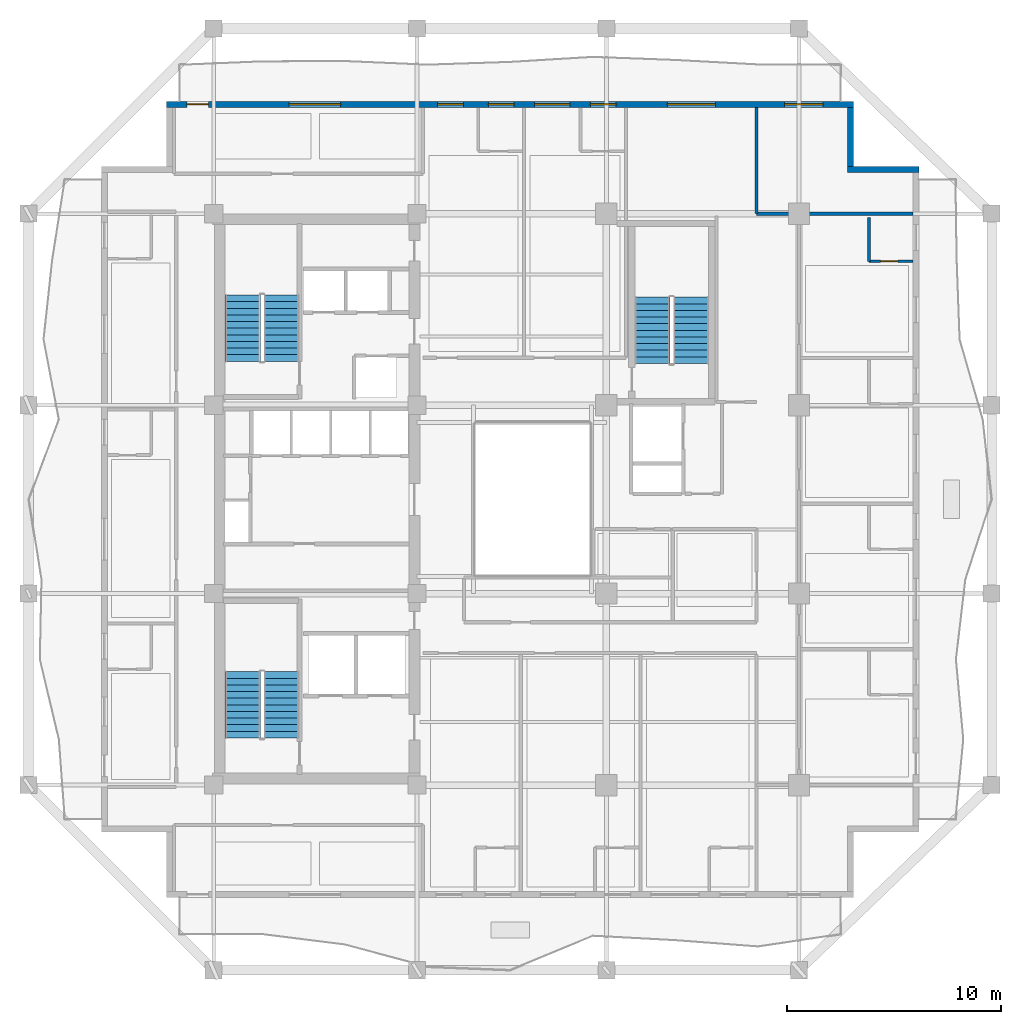
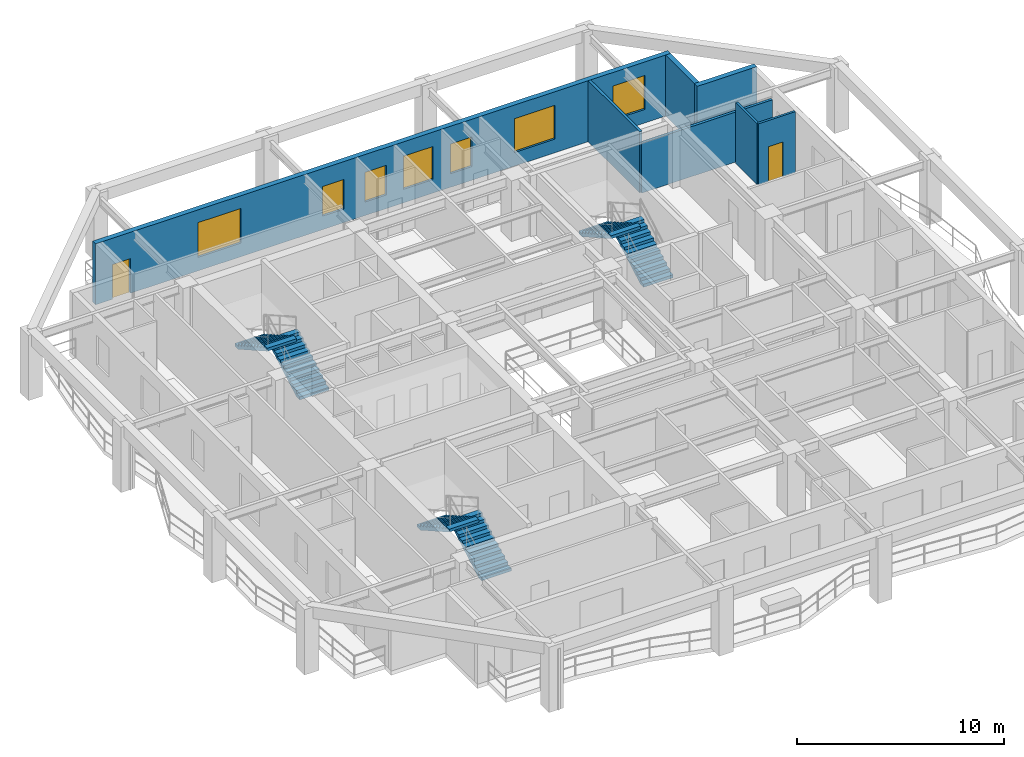
# One storey, part 7 of 11: 7 walls, 7 windows, 6 stair flights, 2 doors, 9 openings, 3 elements without a shape of their own.
"""IFC4 building model written with IfcOpenShell, lengths in metres."""

from ifc_helpers import new_model, si_unit, direction, frame, frame_2d, origin, place, context, subcontext, project, spatial, polyline, rectangle, outline, extrude, material, layer, layer_set, type_object, element, fill, aggregate, save


model = new_model("IFC4")

# Units and contexts
model_context = context("Model", 3, precision=1e-05, world=origin(), true_north=direction((0.0, 1.0)))
body_context = subcontext(model_context, "Body", "Model", "MODEL_VIEW")
ifc_project = project(units=[si_unit("LENGTHUNIT", "METRE"), si_unit("AREAUNIT", "SQUARE_METRE"), si_unit("VOLUMEUNIT", "CUBIC_METRE"), si_unit("PLANEANGLEUNIT", "RADIAN"), si_unit("MASSUNIT", "GRAM", prefix="KILO")], contexts=[model_context])

# Site, building, storey
site_placement = place(None, origin())
site = spatial("IfcSite", under=ifc_project, at=site_placement, CompositionType="ELEMENT")
building_placement = place(site_placement, origin())
building = spatial("IfcBuilding", under=site, at=building_placement, Name="Kundavana Baori Tower", CompositionType="ELEMENT")
storey_placement = place(building_placement, frame((0.0, 0.0, 127.10009765625)))
storey = spatial("IfcBuildingStorey", under=building, at=storey_placement, Name="L30", CompositionType="ELEMENT", Elevation=127.10009765625)

# Walls
ifc_material_1 = material(Name="Red-Buff Dholpur Sandstone Cladding on Concrete C40/50", Category="masonry")
ifc_layer_1 = layer(ifc_material_1, 0.280029296875, Name="WL-EXT-SAND-280")
ifc_layer_set_1 = layer_set([ifc_layer_1], Name="Red-Buff Dholpur Sandstone Cladding on Concrete C40/50")
wall_type_1 = type_object("IfcWallType", Name="WL-EXT-SAND-280", PredefinedType="STANDARD", material=ifc_layer_set_1)
wall_1_placement = place(storey_placement, frame((48.39990234375, 44.010009765625, 0.0), z_axis=(0.0, 0.0, 1.0), x_axis=(-1.0, 0.0, 0.0)))
element("IfcWall", 1, at=wall_1_placement, inside=storey, type_object=wall_type_1, Name="L30 Exterior Insulated Facade Wall 05", PredefinedType="STANDARD", context=body_context, shape_type="SweptSolid", body=[
    extrude(rectangle(XDim=3.329833984375, YDim=0.280029296875, at=frame_2d((1.6650390625, 0.0))), origin(), (0.0, 0.0, 1.0), 3.599853515625),
])
wall_2_placement = place(storey_placement, frame((45.2099609375, 44.14990234375, 0.0), z_axis=(0.0, 0.0, 1.0), x_axis=(0.0, 1.0, 0.0)))
element("IfcWall", 2, at=wall_2_placement, inside=storey, type_object=wall_type_1, Name="L30 Exterior Insulated Facade Wall 06", PredefinedType="STANDARD", context=body_context, shape_type="SweptSolid", body=[
    extrude(rectangle(XDim=2.77001953125, YDim=0.280029296875, at=frame_2d((1.385009765625, 0.0))), origin(), (0.0, 0.0, 1.0), 3.599853515625),
])

# Wall, openings, door, windows
wall_3_placement = place(storey_placement, frame((45.35009765625, 47.06005859375, 0.0), z_axis=(0.0, 0.0, 1.0), x_axis=(-1.0, 0.0, 0.0)))
wall_3 = element("IfcWall", 3, at=wall_3_placement, inside=storey, type_object=wall_type_1, Name="L30 Exterior Insulated Facade Wall 07", PredefinedType="STANDARD", context=body_context, shape_type="SweptSolid", body=[
    extrude(rectangle(XDim=32.10009765625, YDim=0.280029296875, at=frame_2d((16.050048828125, 0.0))), origin(), (0.0, 0.0, 1.0), 3.599853515625),
])
opening_1_placement = place(wall_3_placement, frame((30.14990234375, 0.0, 0.0)))
opening_1 = element("IfcOpeningElement", 4, at=opening_1_placement, cuts=wall_3, Name="Opening BD-1", PredefinedType="OPENING", context=body_context, shape_type="SweptSolid", body=[
    extrude(rectangle(XDim=1.0, YDim=2.050048828125, at=frame_2d((0.5, 1.02490234375))), frame((0.0, 0.14990234375, 0.0), z_axis=(0.0, -1.0, 0.0), x_axis=(1.0, 0.0, 0.0)), (0.0, 0.0, 1.0), 0.300048828125),
])
opening_2_placement = place(wall_3_placement, frame((23.969970703125, 0.0, 0.800048828125)))
opening_2 = element("IfcOpeningElement", 5, at=opening_2_placement, cuts=wall_3, Name="Opening W-04", PredefinedType="OPENING", context=body_context, shape_type="SweptSolid", body=[
    extrude(rectangle(XDim=2.39990234375, YDim=2.050048828125, at=frame_2d((1.199951171875, 1.02490234375))), frame((0.0, 0.14990234375, 0.0), z_axis=(0.0, -1.0, 0.0), x_axis=(1.0, 0.0, 0.0)), (0.0, 0.0, 1.0), 0.300048828125),
])
opening_3_placement = place(wall_3_placement, frame((18.22998046875, 0.0, 0.800048828125)))
opening_3 = element("IfcOpeningElement", 6, at=opening_3_placement, cuts=wall_3, Name="Opening W-03", PredefinedType="OPENING", context=body_context, shape_type="SweptSolid", body=[
    extrude(rectangle(XDim=1.199951171875, YDim=1.75, at=frame_2d((0.60009765625, 0.875))), frame((0.0, 0.14990234375, 0.0), z_axis=(0.0, -1.0, 0.0), x_axis=(1.0, 0.0, 0.0)), (0.0, 0.0, 1.0), 0.300048828125),
])
opening_4_placement = place(wall_3_placement, frame((15.864990234375, 0.0, 0.800048828125)))
opening_4 = element("IfcOpeningElement", 7, at=opening_4_placement, cuts=wall_3, Name="Opening W-03", PredefinedType="OPENING", context=body_context, shape_type="SweptSolid", body=[
    extrude(rectangle(XDim=1.199951171875, YDim=1.75, at=frame_2d((0.60009765625, 0.875))), frame((0.0, 0.14990234375, 0.0), z_axis=(0.0, -1.0, 0.0), x_axis=(1.0, 0.0, 0.0)), (0.0, 0.0, 1.0), 0.300048828125),
])
opening_5_placement = place(wall_3_placement, frame((13.2548828125, 0.0, 0.800048828125)))
opening_5 = element("IfcOpeningElement", 8, at=opening_5_placement, cuts=wall_3, Name="Opening W-08", PredefinedType="OPENING", context=body_context, shape_type="SweptSolid", body=[
    extrude(rectangle(XDim=1.64990234375, YDim=1.949951171875, at=frame_2d((0.824951171875, 0.97509765625))), frame((0.0, 0.14990234375, 0.0), z_axis=(0.0, -1.0, 0.0), x_axis=(1.0, 0.0, 0.0)), (0.0, 0.0, 1.0), 0.300048828125),
])
opening_6_placement = place(wall_3_placement, frame((11.094970703125, 0.0, 0.800048828125)))
opening_6 = element("IfcOpeningElement", 9, at=opening_6_placement, cuts=wall_3, Name="Opening W-03", PredefinedType="OPENING", context=body_context, shape_type="SweptSolid", body=[
    extrude(rectangle(XDim=1.199951171875, YDim=1.75, at=frame_2d((0.60009765625, 0.875))), frame((0.0, 0.14990234375, 0.0), z_axis=(0.0, -1.0, 0.0), x_axis=(1.0, 0.0, 0.0)), (0.0, 0.0, 1.0), 0.300048828125),
])
opening_7_placement = place(wall_3_placement, frame((6.455078125, 0.0, 0.800048828125)))
opening_7 = element("IfcOpeningElement", 10, at=opening_7_placement, cuts=wall_3, Name="Opening W-10", PredefinedType="OPENING", context=body_context, shape_type="SweptSolid", body=[
    extrude(rectangle(XDim=2.25, YDim=2.0, at=frame_2d((1.125, 1.0))), frame((0.0, 0.14990234375, 0.0), z_axis=(0.0, -1.0, 0.0), x_axis=(1.0, 0.0, 0.0)), (0.0, 0.0, 1.0), 0.300048828125),
])
opening_8_placement = place(wall_3_placement, frame((1.419921875, 0.0, 0.800048828125)))
opening_8 = element("IfcOpeningElement", 11, at=opening_8_placement, cuts=wall_3, Name="Opening W-01", PredefinedType="OPENING", context=body_context, shape_type="SweptSolid", body=[
    extrude(rectangle(XDim=1.800048828125, YDim=2.0, at=frame_2d((0.89990234375, 1.0))), frame((0.0, 0.14990234375, 0.0), z_axis=(0.0, -1.0, 0.0), x_axis=(1.0, 0.0, 0.0)), (0.0, 0.0, 1.0), 0.300048828125),
])
ifc_material_2 = material(Name="Architectural Patinated Bronze Metalwork")
door_type_1 = type_object("IfcDoorType", Name="DR-EXT-LOG-1000", OperationType="NOTDEFINED", PredefinedType="DOOR", material=ifc_material_2)
door_1_placement = place(opening_1_placement, frame((1.0, 0.0, 0.0), z_axis=(0.0, 0.0, 1.0), x_axis=(-1.0, 0.0, 0.0)))
door_1 = element("IfcDoor", 12, at=door_1_placement, inside=storey, type_object=door_type_1, Name="L30 Loggia Balcony Access Door N", OperationType="SINGLE_SWING_LEFT", OverallHeight=2.050048828125, OverallWidth=1.0, PredefinedType="DOOR", context=body_context, shape_type="SweptSolid", body=[
    extrude(rectangle(XDim=1.0, YDim=2.050048828125, at=frame_2d((0.5, 1.02490234375))), frame((0.0, 0.02490234375, 0.0), z_axis=(0.0, -1.0, 0.0), x_axis=(1.0, 0.0, 0.0)), (0.0, 0.0, 1.0), 0.050048828125),
])
fill(opening_1, door_1)
ifc_material_3 = material(Name="Double-Glazed Solar-Control Low-E Insulated Glass", Category="glass")
window_type_1 = type_object("IfcWindowType", Name="WIN-LOG-1200x1750", PartitioningType="SINGLE_PANEL", PredefinedType="WINDOW", material=ifc_material_3)
window_1_placement = place(opening_3_placement, origin())
window_1 = element("IfcWindow", 13, at=window_1_placement, inside=storey, type_object=window_type_1, Name="L30 Recessed Loggia Window N-2", OverallHeight=1.75, OverallWidth=1.199951171875, PartitioningType="SINGLE_PANEL", PredefinedType="WINDOW", context=body_context, shape_type="SweptSolid", body=[
    extrude(rectangle(XDim=1.199951171875, YDim=1.75, at=frame_2d((0.60009765625, 0.875))), frame((0.0, 0.030029296875, 0.0), z_axis=(0.0, -1.0, 0.0), x_axis=(1.0, 0.0, 0.0)), (0.0, 0.0, 1.0), 0.06005859375),
])
fill(opening_3, window_1)
window_2_placement = place(opening_4_placement, origin())
window_2 = element("IfcWindow", 14, at=window_2_placement, inside=storey, type_object=window_type_1, Name="L30 Recessed Loggia Window N-3", OverallHeight=1.75, OverallWidth=1.199951171875, PartitioningType="SINGLE_PANEL", PredefinedType="WINDOW", context=body_context, shape_type="SweptSolid", body=[
    extrude(rectangle(XDim=1.199951171875, YDim=1.75, at=frame_2d((0.60009765625, 0.875))), frame((0.0, 0.030029296875, 0.0), z_axis=(0.0, -1.0, 0.0), x_axis=(1.0, 0.0, 0.0)), (0.0, 0.0, 1.0), 0.06005859375),
])
fill(opening_4, window_2)
window_3_placement = place(opening_6_placement, origin())
window_3 = element("IfcWindow", 15, at=window_3_placement, inside=storey, type_object=window_type_1, Name="L30 Recessed Loggia Window N-5", OverallHeight=1.75, OverallWidth=1.199951171875, PartitioningType="SINGLE_PANEL", PredefinedType="WINDOW", context=body_context, shape_type="SweptSolid", body=[
    extrude(rectangle(XDim=1.199951171875, YDim=1.75, at=frame_2d((0.60009765625, 0.875))), frame((0.0, 0.030029296875, 0.0), z_axis=(0.0, -1.0, 0.0), x_axis=(1.0, 0.0, 0.0)), (0.0, 0.0, 1.0), 0.06005859375),
])
fill(opening_6, window_3)
ifc_material_4 = material(Name="Double-Glazed Solar-Control Low-E Insulated Glass", Category="glass")
window_type_2 = type_object("IfcWindowType", Name="WIN-LOG-1650x1950", PartitioningType="SINGLE_PANEL", PredefinedType="WINDOW", material=ifc_material_4)
window_4_placement = place(opening_5_placement, origin())
window_4 = element("IfcWindow", 16, at=window_4_placement, inside=storey, type_object=window_type_2, Name="L30 Recessed Loggia Window N-4", OverallHeight=1.949951171875, OverallWidth=1.64990234375, PartitioningType="SINGLE_PANEL", PredefinedType="WINDOW", context=body_context, shape_type="SweptSolid", body=[
    extrude(rectangle(XDim=1.64990234375, YDim=1.949951171875, at=frame_2d((0.824951171875, 0.97509765625))), frame((0.0, 0.030029296875, 0.0), z_axis=(0.0, -1.0, 0.0), x_axis=(1.0, 0.0, 0.0)), (0.0, 0.0, 1.0), 0.06005859375),
])
fill(opening_5, window_4)
ifc_material_5 = material(Name="Double-Glazed Solar-Control Low-E Insulated Glass", Category="glass")
window_type_3 = type_object("IfcWindowType", Name="WIN-LOG-1800x2000", PartitioningType="SINGLE_PANEL", PredefinedType="WINDOW", material=ifc_material_5)
window_5_placement = place(opening_8_placement, origin())
window_5 = element("IfcWindow", 17, at=window_5_placement, inside=storey, type_object=window_type_3, Name="L30 Recessed Loggia Window N-7", OverallHeight=2.0, OverallWidth=1.800048828125, PartitioningType="SINGLE_PANEL", PredefinedType="WINDOW", context=body_context, shape_type="SweptSolid", body=[
    extrude(rectangle(XDim=1.800048828125, YDim=2.0, at=frame_2d((0.89990234375, 1.0))), frame((0.0, 0.030029296875, 0.0), z_axis=(0.0, -1.0, 0.0), x_axis=(1.0, 0.0, 0.0)), (0.0, 0.0, 1.0), 0.06005859375),
])
fill(opening_8, window_5)
ifc_material_6 = material(Name="Double-Glazed Solar-Control Low-E Insulated Glass", Category="glass")
window_type_4 = type_object("IfcWindowType", Name="WIN-LOG-2250x2000", PartitioningType="SINGLE_PANEL", PredefinedType="WINDOW", material=ifc_material_6)
window_6_placement = place(opening_7_placement, origin())
window_6 = element("IfcWindow", 18, at=window_6_placement, inside=storey, type_object=window_type_4, Name="L30 Recessed Loggia Window N-6", OverallHeight=2.0, OverallWidth=2.25, PartitioningType="SINGLE_PANEL", PredefinedType="WINDOW", context=body_context, shape_type="SweptSolid", body=[
    extrude(rectangle(XDim=2.25, YDim=2.0, at=frame_2d((1.125, 1.0))), frame((0.0, 0.030029296875, 0.0), z_axis=(0.0, -1.0, 0.0), x_axis=(1.0, 0.0, 0.0)), (0.0, 0.0, 1.0), 0.06005859375),
])
fill(opening_7, window_6)
ifc_material_7 = material(Name="Double-Glazed Solar-Control Low-E Insulated Glass", Category="glass")
window_type_5 = type_object("IfcWindowType", Name="WIN-LOG-2400x2050", PartitioningType="SINGLE_PANEL", PredefinedType="WINDOW", material=ifc_material_7)
window_7_placement = place(opening_2_placement, origin())
window_7 = element("IfcWindow", 19, at=window_7_placement, inside=storey, type_object=window_type_5, Name="L30 Recessed Loggia Window N-1", OverallHeight=2.050048828125, OverallWidth=2.39990234375, PartitioningType="SINGLE_PANEL", PredefinedType="WINDOW", context=body_context, shape_type="SweptSolid", body=[
    extrude(rectangle(XDim=2.39990234375, YDim=2.050048828125, at=frame_2d((1.199951171875, 1.02490234375))), frame((0.0, 0.030029296875, 0.0), z_axis=(0.0, -1.0, 0.0), x_axis=(1.0, 0.0, 0.0)), (0.0, 0.0, 1.0), 0.06005859375),
])
fill(opening_2, window_7)

# Walls
ifc_material_8 = material(Name="Fire-Rated Gypsum Drywall on Galvanised Steel Studs", Category="steel")
ifc_layer_2 = layer(ifc_material_8, 0.14990234375, Name="WL-PART-150")
ifc_layer_set_2 = layer_set([ifc_layer_2], Name="Fire-Rated Gypsum Drywall on Galvanised Steel Studs")
wall_type_2 = type_object("IfcWallType", Name="WL-PART-150", PredefinedType="PARTITIONING", material=ifc_layer_set_2)
wall_4_placement = place(storey_placement, frame((40.820068359375, 41.949951171875, 0.0), z_axis=(0.0, 0.0, 1.0), x_axis=(1.0, 0.0, 0.0)))
element("IfcWall", 20, at=wall_4_placement, inside=storey, type_object=wall_type_2, Name="WL-L30-HEN", PredefinedType="PARTITIONING", context=body_context, shape_type="SweptSolid", body=[
    extrude(rectangle(XDim=7.300048828125, YDim=0.14990234375, at=frame_2d((3.64990234375, 0.0))), origin(), (0.0, 0.0, 1.0), 2.949951171875),
])
wall_5_placement = place(storey_placement, frame((40.820068359375, 41.949951171875, 0.0), z_axis=(0.0, 0.0, 1.0), x_axis=(0.0, 1.0, 0.0)))
element("IfcWall", 21, at=wall_5_placement, inside=storey, type_object=wall_type_2, Name="WL-L30-HNEE", PredefinedType="PARTITIONING", context=body_context, shape_type="SweptSolid", body=[
    extrude(rectangle(XDim=4.969970703125, YDim=0.14990234375, at=frame_2d((2.48486328125, 0.0))), origin(), (0.0, 0.0, 1.0), 3.599853515625),
])
ifc_material_9 = material(Name="Autoclaved Aerated Concrete Blockwork Masonry", Category="masonry")
ifc_layer_3 = layer(ifc_material_9, 0.125, Name="WL-WET-120")
ifc_layer_set_3 = layer_set([ifc_layer_3], Name="Autoclaved Aerated Concrete Blockwork Masonry")
wall_type_3 = type_object("IfcWallType", Name="WL-WET-120", PredefinedType="PLUMBINGWALL", material=ifc_layer_set_3)
wall_6_placement = place(storey_placement, frame((46.070068359375, 39.719970703125, 0.0), z_axis=(0.0, 0.0, 1.0), x_axis=(0.0, 1.0, 0.0)))
element("IfcWall", 22, at=wall_6_placement, inside=storey, type_object=wall_type_3, Name="WL-L30-HK-E4-BW", PredefinedType="PLUMBINGWALL", context=body_context, shape_type="SweptSolid", body=[
    extrude(rectangle(XDim=2.050048828125, YDim=0.125, at=frame_2d((1.02490234375, 0.0))), origin(), (0.0, 0.0, 1.0), 3.599853515625),
])

# Wall, opening, door
wall_7_placement = place(storey_placement, frame((46.070068359375, 39.719970703125, 0.0), z_axis=(0.0, 0.0, 1.0), x_axis=(1.0, 0.0, 0.0)))
wall_7 = element("IfcWall", 23, at=wall_7_placement, inside=storey, type_object=wall_type_3, Name="WL-L30-HK-E4-BS", PredefinedType="PLUMBINGWALL", context=body_context, shape_type="SweptSolid", body=[
    extrude(rectangle(XDim=2.050048828125, YDim=0.125, at=frame_2d((1.02490234375, 0.0))), origin(), (0.0, 0.0, 1.0), 3.599853515625),
])
opening_9_placement = place(wall_7_placement, frame((0.550048828125, 0.0, 0.0)))
opening_9 = element("IfcOpeningElement", 24, at=opening_9_placement, cuts=wall_7, Name="Opening WD-080", PredefinedType="OPENING", context=body_context, shape_type="SweptSolid", body=[
    extrude(rectangle(XDim=0.800048828125, YDim=2.050048828125, at=frame_2d((0.39990234375, 1.02490234375))), frame((0.0, 0.072509765625, 0.0), z_axis=(0.0, -1.0, 0.0), x_axis=(1.0, 0.0, 0.0)), (0.0, 0.0, 1.0), 0.14501953125),
])
ifc_material_10 = material(Name="Engineered Teak Solid-Core Timber Veneer", Category="wood")
door_type_2 = type_object("IfcDoorType", Name="DR-WET-800", OperationType="NOTDEFINED", PredefinedType="DOOR", material=ifc_material_10)
door_2_placement = place(opening_9_placement, frame((0.800048828125, 0.0, 0.0), z_axis=(0.0, 0.0, 1.0), x_axis=(-1.0, 0.0, 0.0)))
door_2 = element("IfcDoor", 25, at=door_2_placement, inside=storey, type_object=door_type_2, Name="DR-L30-HK-E4-ENS", OperationType="SINGLE_SWING_LEFT", OverallHeight=2.050048828125, OverallWidth=0.800048828125, PredefinedType="DOOR", context=body_context, shape_type="SweptSolid", body=[
    extrude(rectangle(XDim=0.800048828125, YDim=2.050048828125, at=frame_2d((0.39990234375, 1.02490234375))), frame((0.0, 0.02490234375, 0.0), z_axis=(0.0, -1.0, 0.0), x_axis=(1.0, 0.0, 0.0)), (0.0, 0.0, 1.0), 0.050048828125),
])
fill(opening_9, door_2)

# Stair, stair flights
ifc_material_11 = material(Name="Concrete C40/50", Category="concrete")
stair_type = type_object("IfcStairType", Name="STR-DOG-1650", PredefinedType="HALF_TURN_STAIR", material=ifc_material_11)
stair_1_placement = place(storey_placement, origin())
stair_1 = element("IfcStair", 26, at=stair_1_placement, inside=storey, type_object=stair_type, Name="L30 Protected Exit Stair ST1", PredefinedType="HALF_TURN_STAIR")
ifc_material_12 = material(Name="Concrete C40/50", Category="concrete")
stair_flight_type = type_object("IfcStairFlightType", Name="SFL-RC-1650", PredefinedType="STRAIGHT", material=ifc_material_12)
stair_flight_1_placement = place(storey_placement, frame((18.614990234375, 17.449951171875, 0.0), z_axis=(0.0, 0.0, 1.0), x_axis=(0.0, 1.0, 0.0)))
stair_flight_1 = element("IfcStairFlight", 27, at=stair_flight_1_placement, type_object=stair_flight_type, Name="ST1 flight 1", NumberOfRisers=11, NumberOfTreads=10, PredefinedType="STRAIGHT", RiserHeight=0.175, TreadLength=0.31, context=body_context, shape_type="SweptSolid", body=[
    extrude(outline(polyline([(0.0, 0.0), (0.0, 0.175048828125), (0.31005859375, 0.175048828125), (0.31005859375, 0.35009765625), (0.6201171875, 0.35009765625), (0.6201171875, 0.52490234375), (0.929931640625, 0.52490234375), (0.929931640625, 0.699951171875), (1.239990234375, 0.699951171875), (1.239990234375, 0.875), (1.550048828125, 0.875), (1.550048828125, 1.050048828125), (1.860107421875, 1.050048828125), (1.860107421875, 1.22509765625), (2.169921875, 1.22509765625), (2.169921875, 1.39990234375), (2.47998046875, 1.39990234375), (2.47998046875, 1.574951171875), (2.7900390625, 1.574951171875), (2.7900390625, 1.75), (3.10009765625, 1.75), (3.10009765625, 1.925048828125), (3.10009765625, 1.577880859375), (0.304931640625, 0.0), (0.0, 0.0)])), frame((0.0, 0.824951171875, 0.0), z_axis=(0.0, -1.0, 0.0), x_axis=(1.0, 0.0, 0.0)), (0.0, 0.0, 1.0), 1.64990234375),
])
stair_flight_2_placement = place(storey_placement, frame((16.804931640625, 20.550048828125, 1.9248046875), z_axis=(0.0, 0.0, 1.0), x_axis=(0.0, -1.0, 0.0)))
stair_flight_2 = element("IfcStairFlight", 28, at=stair_flight_2_placement, type_object=stair_flight_type, Name="ST1 flight 2", NumberOfRisers=11, NumberOfTreads=10, PredefinedType="STRAIGHT", RiserHeight=0.175, TreadLength=0.31, context=body_context, shape_type="SweptSolid", body=[
    extrude(outline(polyline([(0.0, 0.0), (0.0, 0.175048828125), (0.31005859375, 0.175048828125), (0.31005859375, 0.35009765625), (0.6201171875, 0.35009765625), (0.6201171875, 0.52490234375), (0.929931640625, 0.52490234375), (0.929931640625, 0.699951171875), (1.239990234375, 0.699951171875), (1.239990234375, 0.875), (1.550048828125, 0.875), (1.550048828125, 1.050048828125), (1.860107421875, 1.050048828125), (1.860107421875, 1.22509765625), (2.169921875, 1.22509765625), (2.169921875, 1.39990234375), (2.47998046875, 1.39990234375), (2.47998046875, 1.574951171875), (2.7900390625, 1.574951171875), (2.7900390625, 1.75), (3.10009765625, 1.75), (3.10009765625, 1.925048828125), (3.10009765625, 1.577880859375), (0.304931640625, 0.0), (0.0, 0.0)])), frame((0.0, 0.824951171875, 0.0), z_axis=(0.0, -1.0, 0.0), x_axis=(1.0, 0.0, 0.0)), (0.0, 0.0, 1.0), 1.64990234375),
])
aggregate(stair_1, [stair_flight_1, stair_flight_2])

stair_2_placement = place(storey_placement, origin())
stair_2 = element("IfcStair", 29, at=stair_2_placement, inside=storey, type_object=stair_type, Name="L30 Protected Exit Stair ST2", PredefinedType="HALF_TURN_STAIR")
stair_flight_3_placement = place(storey_placement, frame((18.614990234375, 35.050048828125, 0.0), z_axis=(0.0, 0.0, 1.0), x_axis=(0.0, 1.0, 0.0)))
stair_flight_3 = element("IfcStairFlight", 30, at=stair_flight_3_placement, type_object=stair_flight_type, Name="ST2 flight 1", NumberOfRisers=11, NumberOfTreads=10, PredefinedType="STRAIGHT", RiserHeight=0.175, TreadLength=0.31, context=body_context, shape_type="SweptSolid", body=[
    extrude(outline(polyline([(0.0, 0.0), (0.0, 0.175048828125), (0.31005859375, 0.175048828125), (0.31005859375, 0.35009765625), (0.6201171875, 0.35009765625), (0.6201171875, 0.52490234375), (0.929931640625, 0.52490234375), (0.929931640625, 0.699951171875), (1.239990234375, 0.699951171875), (1.239990234375, 0.875), (1.550048828125, 0.875), (1.550048828125, 1.050048828125), (1.860107421875, 1.050048828125), (1.860107421875, 1.22509765625), (2.169921875, 1.22509765625), (2.169921875, 1.39990234375), (2.47998046875, 1.39990234375), (2.47998046875, 1.574951171875), (2.7900390625, 1.574951171875), (2.7900390625, 1.75), (3.10009765625, 1.75), (3.10009765625, 1.925048828125), (3.10009765625, 1.577880859375), (0.304931640625, 0.0), (0.0, 0.0)])), frame((0.0, 0.824951171875, 0.0), z_axis=(0.0, -1.0, 0.0), x_axis=(1.0, 0.0, 0.0)), (0.0, 0.0, 1.0), 1.64990234375),
])
stair_flight_4_placement = place(storey_placement, frame((16.804931640625, 38.14990234375, 1.9248046875), z_axis=(0.0, 0.0, 1.0), x_axis=(0.0, -1.0, 0.0)))
stair_flight_4 = element("IfcStairFlight", 31, at=stair_flight_4_placement, type_object=stair_flight_type, Name="ST2 flight 2", NumberOfRisers=11, NumberOfTreads=10, PredefinedType="STRAIGHT", RiserHeight=0.175, TreadLength=0.31, context=body_context, shape_type="SweptSolid", body=[
    extrude(outline(polyline([(0.0, 0.0), (0.0, 0.175048828125), (0.31005859375, 0.175048828125), (0.31005859375, 0.35009765625), (0.6201171875, 0.35009765625), (0.6201171875, 0.52490234375), (0.929931640625, 0.52490234375), (0.929931640625, 0.699951171875), (1.239990234375, 0.699951171875), (1.239990234375, 0.875), (1.550048828125, 0.875), (1.550048828125, 1.050048828125), (1.860107421875, 1.050048828125), (1.860107421875, 1.22509765625), (2.169921875, 1.22509765625), (2.169921875, 1.39990234375), (2.47998046875, 1.39990234375), (2.47998046875, 1.574951171875), (2.7900390625, 1.574951171875), (2.7900390625, 1.75), (3.10009765625, 1.75), (3.10009765625, 1.925048828125), (3.10009765625, 1.577880859375), (0.304931640625, 0.0), (0.0, 0.0)])), frame((0.0, 0.824951171875, 0.0), z_axis=(0.0, -1.0, 0.0), x_axis=(1.0, 0.0, 0.0)), (0.0, 0.0, 1.0), 1.64990234375),
])
aggregate(stair_2, [stair_flight_3, stair_flight_4])

stair_3_placement = place(storey_placement, origin())
stair_3 = element("IfcStair", 32, at=stair_3_placement, inside=storey, type_object=stair_type, Name="L30 Protected Exit Stair ST3", PredefinedType="HALF_TURN_STAIR")
stair_flight_5_placement = place(storey_placement, frame((37.7548828125, 34.949951171875, 0.0), z_axis=(0.0, 0.0, 1.0), x_axis=(0.0, 1.0, 0.0)))
stair_flight_5 = element("IfcStairFlight", 33, at=stair_flight_5_placement, type_object=stair_flight_type, Name="ST3 flight 1", NumberOfRisers=11, NumberOfTreads=10, PredefinedType="STRAIGHT", RiserHeight=0.175, TreadLength=0.31, context=body_context, shape_type="SweptSolid", body=[
    extrude(outline(polyline([(0.0, 0.0), (0.0, 0.175048828125), (0.31005859375, 0.175048828125), (0.31005859375, 0.35009765625), (0.6201171875, 0.35009765625), (0.6201171875, 0.52490234375), (0.929931640625, 0.52490234375), (0.929931640625, 0.699951171875), (1.239990234375, 0.699951171875), (1.239990234375, 0.875), (1.550048828125, 0.875), (1.550048828125, 1.050048828125), (1.860107421875, 1.050048828125), (1.860107421875, 1.22509765625), (2.169921875, 1.22509765625), (2.169921875, 1.39990234375), (2.47998046875, 1.39990234375), (2.47998046875, 1.574951171875), (2.7900390625, 1.574951171875), (2.7900390625, 1.75), (3.10009765625, 1.75), (3.10009765625, 1.925048828125), (3.10009765625, 1.577880859375), (0.304931640625, 0.0), (0.0, 0.0)])), frame((0.0, 0.824951171875, 0.0), z_axis=(0.0, -1.0, 0.0), x_axis=(1.0, 0.0, 0.0)), (0.0, 0.0, 1.0), 1.64990234375),
])
stair_flight_6_placement = place(storey_placement, frame((35.945068359375, 38.050048828125, 1.9248046875), z_axis=(0.0, 0.0, 1.0), x_axis=(0.0, -1.0, 0.0)))
stair_flight_6 = element("IfcStairFlight", 34, at=stair_flight_6_placement, type_object=stair_flight_type, Name="ST3 flight 2", NumberOfRisers=11, NumberOfTreads=10, PredefinedType="STRAIGHT", RiserHeight=0.175, TreadLength=0.31, context=body_context, shape_type="SweptSolid", body=[
    extrude(outline(polyline([(0.0, 0.0), (0.0, 0.175048828125), (0.31005859375, 0.175048828125), (0.31005859375, 0.35009765625), (0.6201171875, 0.35009765625), (0.6201171875, 0.52490234375), (0.929931640625, 0.52490234375), (0.929931640625, 0.699951171875), (1.239990234375, 0.699951171875), (1.239990234375, 0.875), (1.550048828125, 0.875), (1.550048828125, 1.050048828125), (1.860107421875, 1.050048828125), (1.860107421875, 1.22509765625), (2.169921875, 1.22509765625), (2.169921875, 1.39990234375), (2.47998046875, 1.39990234375), (2.47998046875, 1.574951171875), (2.7900390625, 1.574951171875), (2.7900390625, 1.75), (3.10009765625, 1.75), (3.10009765625, 1.925048828125), (3.10009765625, 1.577880859375), (0.304931640625, 0.0), (0.0, 0.0)])), frame((0.0, 0.824951171875, 0.0), z_axis=(0.0, -1.0, 0.0), x_axis=(1.0, 0.0, 0.0)), (0.0, 0.0, 1.0), 1.64990234375),
])
aggregate(stair_3, [stair_flight_5, stair_flight_6])

save(model, "model.ifc")
